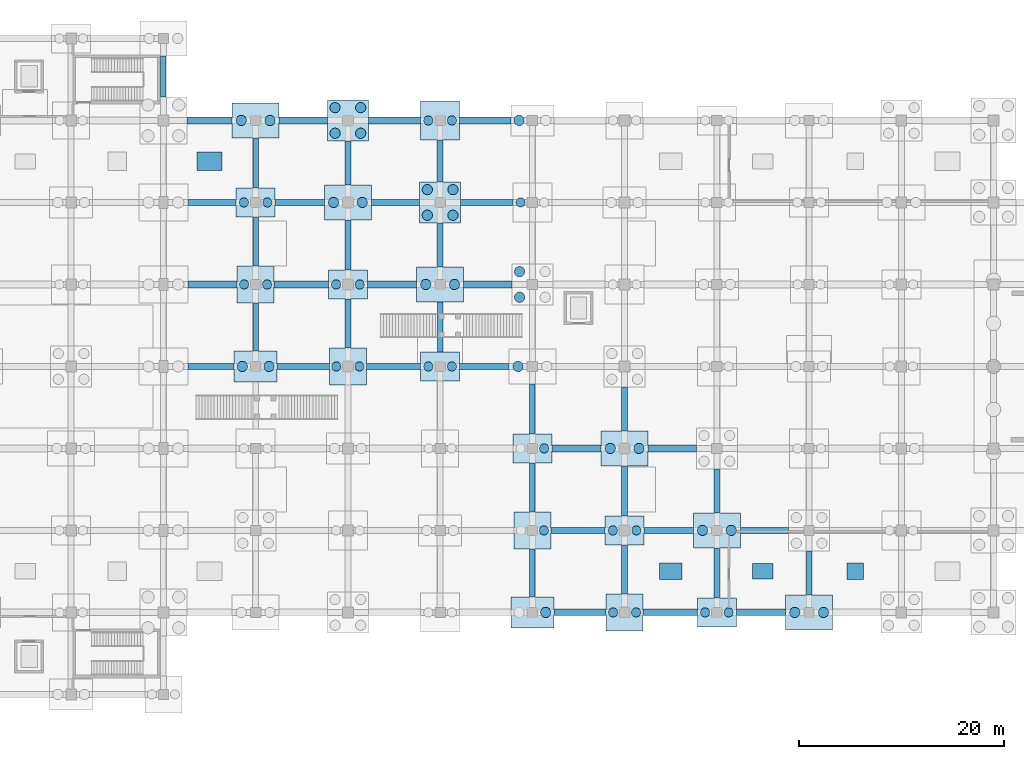
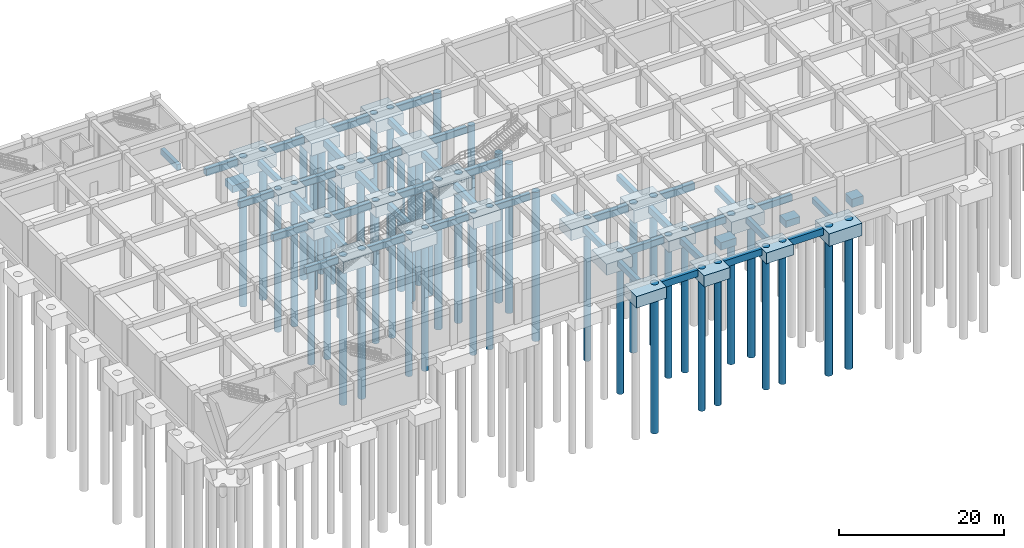
# One storey, part 3 of 18: 68 footings, 48 piles.
"""IFC4 building model written with IfcOpenShell, lengths in metres."""

from ifc_helpers import new_model, si_unit, derived_unit, direction, frame, origin, origin_2d, place, context, subcontext, project, spatial, rectangle, circle, extrude, material, material_profile, profile_set, type_object, element, save


model = new_model("IFC4")

# Units and contexts
model_context = context("Model", 3, precision=1e-05, world=origin(), true_north=direction((0.0, 1.0)))
body_context = subcontext(model_context, "Body", "Model", "MODEL_VIEW")
ifc_project = project(units=[si_unit("LENGTHUNIT", "METRE"), si_unit("AREAUNIT", "SQUARE_METRE"), si_unit("VOLUMEUNIT", "CUBIC_METRE"), si_unit("PLANEANGLEUNIT", "RADIAN"), si_unit("MASSUNIT", "GRAM", prefix="KILO"), derived_unit("THERMALTRANSMITTANCEUNIT", [(si_unit("MASSUNIT", "GRAM", prefix="KILO"), 1), (si_unit("TIMEUNIT", "SECOND"), -3), (si_unit("THERMODYNAMICTEMPERATUREUNIT", "KELVIN"), -1)])], contexts=[model_context])

# Site, building, storey
site_placement = place(None, origin())
site = spatial("IfcSite", under=ifc_project, at=site_placement, CompositionType="ELEMENT")
building_placement = place(site_placement, origin())
building = spatial("IfcBuilding", under=site, at=building_placement, Name="Zhenchuan Archway Interchange", CompositionType="ELEMENT")
storey_placement = place(building_placement, frame((0.0, 0.0, -12.0)))
storey = spatial("IfcBuildingStorey", under=building, at=storey_placement, Name="B2", CompositionType="ELEMENT", Elevation=-12.0)

# Footings
ifc_material_1 = material(Name="Concrete C40", Category="concrete")
ifc_material_profile_1 = material_profile(ifc_material_1, rectangle(XDim=0.64990234375, YDim=1.0, at=origin_2d()), Name="RC 650x1000")
ifc_profile_set_1 = profile_set([ifc_material_profile_1], Name="Concrete C40")
footing_type_1 = type_object("IfcFootingType", Name="FB_GROUND_1", PredefinedType="FOOTING_BEAM", material=ifc_profile_set_1)
footing_1_placement = place(storey_placement, frame((101.10009765625, 32.0, -1.5), z_axis=(1.0, 0.0, 0.0), x_axis=(0.0, 1.0, 0.0)))
element("IfcFooting", 1, at=footing_1_placement, inside=storey, type_object=footing_type_1, Name="Ground tie beam E:12-13 (B2)", PredefinedType="FOOTING_BEAM", context=body_context, shape_type="SweptSolid", body=[
    extrude(rectangle(XDim=0.64990234375, YDim=1.0, at=origin_2d()), origin(), (0.0, 0.0, 1.0), 5.099853515625),
])
footing_2_placement = place(storey_placement, frame((109.800048828125, 32.0, -1.5), z_axis=(1.0, 0.0, 0.0), x_axis=(0.0, 1.0, 0.0)))
element("IfcFooting", 2, at=footing_2_placement, inside=storey, type_object=footing_type_1, Name="Ground tie beam E:13-14 (B2)", PredefinedType="FOOTING_BEAM", context=body_context, shape_type="SweptSolid", body=[
    extrude(rectangle(XDim=0.64990234375, YDim=1.0, at=origin_2d()), origin(), (0.0, 0.0, 1.0), 5.300048828125),
])
for number, where, z_axis, x_axis, name in (
    (3, (118.89990234375, 32.0, -1.5), (1.0, 0.0, 0.0), (0.0, 1.0, 0.0), "Ground tie beam E:14-15 (B2)"),
    (4, (100.89990234375, 48.0, -1.5), (1.0, 0.0, 0.0), (0.0, 1.0, 0.0), "Ground tie beam G:12-13 (B2)"),
):
    element("IfcFooting", number, at=place(storey_placement, frame(where, z_axis=z_axis, x_axis=x_axis)), inside=storey, type_object=footing_type_1, Name=name, PredefinedType="FOOTING_BEAM", context=body_context, shape_type="SweptSolid", body=[
        extrude(rectangle(XDim=0.64990234375, YDim=1.0, at=origin_2d()), origin(), (0.0, 0.0, 1.0), 4.800048828125),
    ])
footing_3_placement = place(storey_placement, frame((110.300048828125, 48.0, -1.5), z_axis=(1.0, 0.0, 0.0), x_axis=(0.0, 1.0, 0.0)))
element("IfcFooting", 5, at=footing_3_placement, inside=storey, type_object=footing_type_1, Name="Ground tie beam G:13-14 (B2)", PredefinedType="FOOTING_BEAM", context=body_context, shape_type="SweptSolid", body=[
    extrude(rectangle(XDim=0.64990234375, YDim=1.0, at=origin_2d()), origin(), (0.0, 0.0, 1.0), 4.699951171875),
])
footing_4_placement = place(storey_placement, frame((65.39990234375, 64.0, -1.5), z_axis=(1.0, 0.0, 0.0), x_axis=(0.0, 1.0, 0.0)))
element("IfcFooting", 6, at=footing_4_placement, inside=storey, type_object=footing_type_1, Name="Ground tie beam J:8-9 (B2)", PredefinedType="FOOTING_BEAM", context=body_context, shape_type="SweptSolid", body=[
    extrude(rectangle(XDim=0.64990234375, YDim=1.0, at=origin_2d()), origin(), (0.0, 0.0, 1.0), 4.800048828125),
])
footing_5_placement = place(storey_placement, frame((73.800048828125, 64.0, -1.5), z_axis=(1.0, 0.0, 0.0), x_axis=(0.0, 1.0, 0.0)))
element("IfcFooting", 7, at=footing_5_placement, inside=storey, type_object=footing_type_1, Name="Ground tie beam J:9-10 (B2)", PredefinedType="FOOTING_BEAM", context=body_context, shape_type="SweptSolid", body=[
    extrude(rectangle(XDim=0.64990234375, YDim=1.0, at=origin_2d()), origin(), (0.0, 0.0, 1.0), 5.300048828125),
])
footing_6_placement = place(storey_placement, frame((82.89990234375, 64.0, -1.5), z_axis=(1.0, 0.0, 0.0), x_axis=(0.0, 1.0, 0.0)))
element("IfcFooting", 8, at=footing_6_placement, inside=storey, type_object=footing_type_1, Name="Ground tie beam J:10-11 (B2)", PredefinedType="FOOTING_BEAM", context=body_context, shape_type="SweptSolid", body=[
    extrude(rectangle(XDim=0.64990234375, YDim=1.0, at=origin_2d()), origin(), (0.0, 0.0, 1.0), 4.800048828125),
])
footing_7_placement = place(storey_placement, frame((92.300048828125, 64.0, -1.5), z_axis=(1.0, 0.0, 0.0), x_axis=(0.0, 1.0, 0.0)))
element("IfcFooting", 9, at=footing_7_placement, inside=storey, type_object=footing_type_1, Name="Ground tie beam J:11-12 (B2)", PredefinedType="FOOTING_BEAM", context=body_context, shape_type="SweptSolid", body=[
    extrude(rectangle(XDim=0.64990234375, YDim=1.0, at=origin_2d()), origin(), (0.0, 0.0, 1.0), 4.699951171875),
])
footing_8_placement = place(storey_placement, frame((65.300048828125, 80.0, -1.5), z_axis=(1.0, 0.0, 0.0), x_axis=(0.0, 1.0, 0.0)))
element("IfcFooting", 10, at=footing_8_placement, inside=storey, type_object=footing_type_1, Name="Ground tie beam L:8-9 (B2)", PredefinedType="FOOTING_BEAM", context=body_context, shape_type="SweptSolid", body=[
    extrude(rectangle(XDim=0.64990234375, YDim=1.0, at=origin_2d()), origin(), (0.0, 0.0, 1.0), 4.39990234375),
])
footing_9_placement = place(storey_placement, frame((74.300048828125, 80.0, -1.5), z_axis=(1.0, 0.0, 0.0), x_axis=(0.0, 1.0, 0.0)))
element("IfcFooting", 11, at=footing_9_placement, inside=storey, type_object=footing_type_1, Name="Ground tie beam L:9-10 (B2)", PredefinedType="FOOTING_BEAM", context=body_context, shape_type="SweptSolid", body=[
    extrude(rectangle(XDim=0.64990234375, YDim=1.0, at=origin_2d()), origin(), (0.0, 0.0, 1.0), 4.699951171875),
])
footing_10_placement = place(storey_placement, frame((83.0, 80.0, -1.5), z_axis=(1.0, 0.0, 0.0), x_axis=(0.0, 1.0, 0.0)))
element("IfcFooting", 12, at=footing_10_placement, inside=storey, type_object=footing_type_1, Name="Ground tie beam L:10-11 (B2)", PredefinedType="FOOTING_BEAM", context=body_context, shape_type="SweptSolid", body=[
    extrude(rectangle(XDim=0.64990234375, YDim=1.0, at=origin_2d()), origin(), (0.0, 0.0, 1.0), 5.10009765625),
])
footing_11_placement = place(storey_placement, frame((91.89990234375, 80.0, -1.5), z_axis=(1.0, 0.0, 0.0), x_axis=(0.0, 1.0, 0.0)))
element("IfcFooting", 13, at=footing_11_placement, inside=storey, type_object=footing_type_1, Name="Ground tie beam L:11-12 (B2)", PredefinedType="FOOTING_BEAM", context=body_context, shape_type="SweptSolid", body=[
    extrude(rectangle(XDim=0.64990234375, YDim=1.0, at=origin_2d()), origin(), (0.0, 0.0, 1.0), 5.0),
])
ifc_material_profile_2 = material_profile(ifc_material_1, rectangle(XDim=0.60009765625, YDim=0.949951171875, at=origin_2d()), Name="RC 600x950")
ifc_profile_set_2 = profile_set([ifc_material_profile_2], Name="Concrete C40")
footing_type_2 = type_object("IfcFootingType", Name="FB_GROUND_2", PredefinedType="FOOTING_BEAM", material=ifc_profile_set_2)
footing_12_placement = place(storey_placement, frame((100.800048828125, 40.0, -1.47509765625), z_axis=(1.0, 0.0, 0.0), x_axis=(0.0, 1.0, 0.0)))
element("IfcFooting", 14, at=footing_12_placement, inside=storey, type_object=footing_type_2, Name="Ground tie beam F:12-13 (B2)", PredefinedType="FOOTING_BEAM", context=body_context, shape_type="SweptSolid", body=[
    extrude(rectangle(XDim=0.60009765625, YDim=0.949951171875, at=origin_2d()), origin(), (0.0, 0.0, 1.0), 5.300048828125),
])
footing_13_placement = place(storey_placement, frame((109.89990234375, 40.0, -1.47509765625), z_axis=(1.0, 0.0, 0.0), x_axis=(0.0, 1.0, 0.0)))
element("IfcFooting", 15, at=footing_13_placement, inside=storey, type_object=footing_type_2, Name="Ground tie beam F:13-14 (B2)", PredefinedType="FOOTING_BEAM", context=body_context, shape_type="SweptSolid", body=[
    extrude(rectangle(XDim=0.60009765625, YDim=0.949951171875, at=origin_2d()), origin(), (0.0, 0.0, 1.0), 4.800048828125),
])
footing_14_placement = place(storey_placement, frame((119.300048828125, 40.0, -1.47509765625), z_axis=(1.0, 0.0, 0.0), x_axis=(0.0, 1.0, 0.0)))
element("IfcFooting", 16, at=footing_14_placement, inside=storey, type_object=footing_type_2, Name="Ground tie beam F:14-15 (B2)", PredefinedType="FOOTING_BEAM", context=body_context, shape_type="SweptSolid", body=[
    extrude(rectangle(XDim=0.60009765625, YDim=0.949951171875, at=origin_2d()), origin(), (0.0, 0.0, 1.0), 4.699951171875),
])
footing_15_placement = place(storey_placement, frame((65.39990234375, 56.0, -1.47509765625), z_axis=(1.0, 0.0, 0.0), x_axis=(0.0, 1.0, 0.0)))
element("IfcFooting", 17, at=footing_15_placement, inside=storey, type_object=footing_type_2, Name="Ground tie beam H:8-9 (B2)", PredefinedType="FOOTING_BEAM", context=body_context, shape_type="SweptSolid", body=[
    extrude(rectangle(XDim=0.60009765625, YDim=0.949951171875, at=origin_2d()), origin(), (0.0, 0.0, 1.0), 4.5),
])
footing_16_placement = place(storey_placement, frame((74.10009765625, 56.0, -1.47509765625), z_axis=(1.0, 0.0, 0.0), x_axis=(0.0, 1.0, 0.0)))
element("IfcFooting", 18, at=footing_16_placement, inside=storey, type_object=footing_type_2, Name="Ground tie beam H:9-10 (B2)", PredefinedType="FOOTING_BEAM", context=body_context, shape_type="SweptSolid", body=[
    extrude(rectangle(XDim=0.60009765625, YDim=0.949951171875, at=origin_2d()), origin(), (0.0, 0.0, 1.0), 5.099853515625),
])
footing_17_placement = place(storey_placement, frame((82.800048828125, 56.0, -1.47509765625), z_axis=(1.0, 0.0, 0.0), x_axis=(0.0, 1.0, 0.0)))
element("IfcFooting", 19, at=footing_17_placement, inside=storey, type_object=footing_type_2, Name="Ground tie beam H:10-11 (B2)", PredefinedType="FOOTING_BEAM", context=body_context, shape_type="SweptSolid", body=[
    extrude(rectangle(XDim=0.60009765625, YDim=0.949951171875, at=origin_2d()), origin(), (0.0, 0.0, 1.0), 5.300048828125),
])
footing_18_placement = place(storey_placement, frame((91.89990234375, 56.0, -1.47509765625), z_axis=(1.0, 0.0, 0.0), x_axis=(0.0, 1.0, 0.0)))
element("IfcFooting", 20, at=footing_18_placement, inside=storey, type_object=footing_type_2, Name="Ground tie beam H:11-12 (B2)", PredefinedType="FOOTING_BEAM", context=body_context, shape_type="SweptSolid", body=[
    extrude(rectangle(XDim=0.60009765625, YDim=0.949951171875, at=origin_2d()), origin(), (0.0, 0.0, 1.0), 4.800048828125),
])
footing_19_placement = place(storey_placement, frame((65.39990234375, 72.0, -1.47509765625), z_axis=(1.0, 0.0, 0.0), x_axis=(0.0, 1.0, 0.0)))
element("IfcFooting", 21, at=footing_19_placement, inside=storey, type_object=footing_type_2, Name="Ground tie beam K:8-9 (B2)", PredefinedType="FOOTING_BEAM", context=body_context, shape_type="SweptSolid", body=[
    extrude(rectangle(XDim=0.60009765625, YDim=0.949951171875, at=origin_2d()), origin(), (0.0, 0.0, 1.0), 4.7001953125),
])
footing_20_placement = place(storey_placement, frame((73.89990234375, 72.0, -1.47509765625), z_axis=(1.0, 0.0, 0.0), x_axis=(0.0, 1.0, 0.0)))
element("IfcFooting", 22, at=footing_20_placement, inside=storey, type_object=footing_type_2, Name="Ground tie beam K:9-10 (B2)", PredefinedType="FOOTING_BEAM", context=body_context, shape_type="SweptSolid", body=[
    extrude(rectangle(XDim=0.60009765625, YDim=0.949951171875, at=origin_2d()), origin(), (0.0, 0.0, 1.0), 4.800048828125),
])
footing_21_placement = place(storey_placement, frame((83.300048828125, 72.0, -1.47509765625), z_axis=(1.0, 0.0, 0.0), x_axis=(0.0, 1.0, 0.0)))
element("IfcFooting", 23, at=footing_21_placement, inside=storey, type_object=footing_type_2, Name="Ground tie beam K:10-11 (B2)", PredefinedType="FOOTING_BEAM", context=body_context, shape_type="SweptSolid", body=[
    extrude(rectangle(XDim=0.60009765625, YDim=0.949951171875, at=origin_2d()), origin(), (0.0, 0.0, 1.0), 4.699951171875),
])
footing_22_placement = place(storey_placement, frame((92.0, 72.0, -1.47509765625), z_axis=(1.0, 0.0, 0.0), x_axis=(0.0, 1.0, 0.0)))
element("IfcFooting", 24, at=footing_22_placement, inside=storey, type_object=footing_type_2, Name="Ground tie beam K:11-12 (B2)", PredefinedType="FOOTING_BEAM", context=body_context, shape_type="SweptSolid", body=[
    extrude(rectangle(XDim=0.60009765625, YDim=0.949951171875, at=origin_2d()), origin(), (0.0, 0.0, 1.0), 5.10009765625),
])
footing_23_placement = place(storey_placement, frame((81.0, 57.800048828125, -1.47509765625), z_axis=(0.0, 1.0, 0.0), x_axis=(-1.0, 0.0, 0.0)))
element("IfcFooting", 25, at=footing_23_placement, inside=storey, type_object=footing_type_2, Name="Ground tie beam 10:H-J (B2)", PredefinedType="FOOTING_BEAM", context=body_context, shape_type="SweptSolid", body=[
    extrude(rectangle(XDim=0.60009765625, YDim=0.949951171875, at=origin_2d()), origin(), (0.0, 0.0, 1.0), 4.800048828125),
])
footing_24_placement = place(storey_placement, frame((81.0, 65.39990234375, -1.47509765625), z_axis=(0.0, 1.0, 0.0), x_axis=(-1.0, 0.0, 0.0)))
element("IfcFooting", 26, at=footing_24_placement, inside=storey, type_object=footing_type_2, Name="Ground tie beam 10:J-K (B2)", PredefinedType="FOOTING_BEAM", context=body_context, shape_type="SweptSolid", body=[
    extrude(rectangle(XDim=0.60009765625, YDim=0.949951171875, at=origin_2d()), origin(), (0.0, 0.0, 1.0), 4.900146484375),
])
footing_25_placement = place(storey_placement, frame((81.0, 73.699951171875, -1.47509765625), z_axis=(0.0, 1.0, 0.0), x_axis=(-1.0, 0.0, 0.0)))
element("IfcFooting", 27, at=footing_25_placement, inside=storey, type_object=footing_type_2, Name="Ground tie beam 10:K-L (B2)", PredefinedType="FOOTING_BEAM", context=body_context, shape_type="SweptSolid", body=[
    extrude(rectangle(XDim=0.60009765625, YDim=0.949951171875, at=origin_2d()), origin(), (0.0, 0.0, 1.0), 4.300048828125),
])
footing_26_placement = place(storey_placement, frame((108.0, 33.800048828125, -1.47509765625), z_axis=(0.0, 1.0, 0.0), x_axis=(-1.0, 0.0, 0.0)))
element("IfcFooting", 28, at=footing_26_placement, inside=storey, type_object=footing_type_2, Name="Ground tie beam 13:E-F (B2)", PredefinedType="FOOTING_BEAM", context=body_context, shape_type="SweptSolid", body=[
    extrude(rectangle(XDim=0.60009765625, YDim=0.949951171875, at=origin_2d()), origin(), (0.0, 0.0, 1.0), 4.800048828125),
])
footing_27_placement = place(storey_placement, frame((108.0, 41.39990234375, -1.47509765625), z_axis=(0.0, 1.0, 0.0), x_axis=(-1.0, 0.0, 0.0)))
element("IfcFooting", 29, at=footing_27_placement, inside=storey, type_object=footing_type_2, Name="Ground tie beam 13:F-G (B2)", PredefinedType="FOOTING_BEAM", context=body_context, shape_type="SweptSolid", body=[
    extrude(rectangle(XDim=0.60009765625, YDim=0.949951171875, at=origin_2d()), origin(), (0.0, 0.0, 1.0), 4.900146484375),
])
footing_28_placement = place(storey_placement, frame((108.0, 49.699951171875, -1.47509765625), z_axis=(0.0, 1.0, 0.0), x_axis=(-1.0, 0.0, 0.0)))
element("IfcFooting", 30, at=footing_28_placement, inside=storey, type_object=footing_type_2, Name="Ground tie beam 13:G-H (B2)", PredefinedType="FOOTING_BEAM", context=body_context, shape_type="SweptSolid", body=[
    extrude(rectangle(XDim=0.60009765625, YDim=0.949951171875, at=origin_2d()), origin(), (0.0, 0.0, 1.0), 4.300048828125),
])
ifc_material_profile_3 = material_profile(ifc_material_1, rectangle(XDim=0.550048828125, YDim=0.85009765625, at=origin_2d()), Name="RC 550x850")
ifc_profile_set_3 = profile_set([ifc_material_profile_3], Name="Concrete C40")
footing_type_3 = type_object("IfcFootingType", Name="FB_GROUND_3", PredefinedType="FOOTING_BEAM", material=ifc_profile_set_3)
footing_29_placement = place(storey_placement, frame((63.0, 82.300048828125, -1.425048828125), z_axis=(0.0, 1.0, 0.0), x_axis=(-1.0, 0.0, 0.0)))
element("IfcFooting", 31, at=footing_29_placement, inside=storey, type_object=footing_type_3, Name="Ground tie beam 8:L-M (B2)", PredefinedType="FOOTING_BEAM", context=body_context, shape_type="SweptSolid", body=[
    extrude(rectangle(XDim=0.550048828125, YDim=0.85009765625, at=origin_2d()), origin(), (0.0, 0.0, 1.0), 4.0),
])
footing_30_placement = place(storey_placement, frame((72.0, 57.5, -1.425048828125), z_axis=(0.0, 1.0, 0.0), x_axis=(-1.0, 0.0, 0.0)))
element("IfcFooting", 32, at=footing_30_placement, inside=storey, type_object=footing_type_3, Name="Ground tie beam 9:H-J (B2)", PredefinedType="FOOTING_BEAM", context=body_context, shape_type="SweptSolid", body=[
    extrude(rectangle(XDim=0.550048828125, YDim=0.85009765625, at=origin_2d()), origin(), (0.0, 0.0, 1.0), 4.699951171875),
])
footing_31_placement = place(storey_placement, frame((72.0, 65.800048828125, -1.425048828125), z_axis=(0.0, 1.0, 0.0), x_axis=(-1.0, 0.0, 0.0)))
element("IfcFooting", 33, at=footing_31_placement, inside=storey, type_object=footing_type_3, Name="Ground tie beam 9:J-K (B2)", PredefinedType="FOOTING_BEAM", context=body_context, shape_type="SweptSolid", body=[
    extrude(rectangle(XDim=0.550048828125, YDim=0.85009765625, at=origin_2d()), origin(), (0.0, 0.0, 1.0), 4.800048828125),
])
for number, where, z_axis, x_axis, name in (
    (34, (72.0, 73.39990234375, -1.425048828125), (0.0, 1.0, 0.0), (-1.0, 0.0, 0.0), "Ground tie beam 9:K-L (B2)"),
    (35, (90.0, 57.39990234375, -1.425048828125), (0.0, 1.0, 0.0), (-1.0, 0.0, 0.0), "Ground tie beam 11:H-J (B2)"),
):
    element("IfcFooting", number, at=place(storey_placement, frame(where, z_axis=z_axis, x_axis=x_axis)), inside=storey, type_object=footing_type_3, Name=name, PredefinedType="FOOTING_BEAM", context=body_context, shape_type="SweptSolid", body=[
        extrude(rectangle(XDim=0.550048828125, YDim=0.85009765625, at=origin_2d()), origin(), (0.0, 0.0, 1.0), 4.900146484375),
    ])
footing_32_placement = place(storey_placement, frame((90.0, 65.699951171875, -1.425048828125), z_axis=(0.0, 1.0, 0.0), x_axis=(-1.0, 0.0, 0.0)))
element("IfcFooting", 36, at=footing_32_placement, inside=storey, type_object=footing_type_3, Name="Ground tie beam 11:J-K (B2)", PredefinedType="FOOTING_BEAM", context=body_context, shape_type="SweptSolid", body=[
    extrude(rectangle(XDim=0.550048828125, YDim=0.85009765625, at=origin_2d()), origin(), (0.0, 0.0, 1.0), 4.300048828125),
])
footing_33_placement = place(storey_placement, frame((90.0, 74.0, -1.425048828125), z_axis=(0.0, 1.0, 0.0), x_axis=(-1.0, 0.0, 0.0)))
element("IfcFooting", 37, at=footing_33_placement, inside=storey, type_object=footing_type_3, Name="Ground tie beam 11:K-L (B2)", PredefinedType="FOOTING_BEAM", context=body_context, shape_type="SweptSolid", body=[
    extrude(rectangle(XDim=0.550048828125, YDim=0.85009765625, at=origin_2d()), origin(), (0.0, 0.0, 1.0), 4.10009765625),
])
footing_34_placement = place(storey_placement, frame((99.0, 33.5, -1.425048828125), z_axis=(0.0, 1.0, 0.0), x_axis=(-1.0, 0.0, 0.0)))
element("IfcFooting", 38, at=footing_34_placement, inside=storey, type_object=footing_type_3, Name="Ground tie beam 12:E-F (B2)", PredefinedType="FOOTING_BEAM", context=body_context, shape_type="SweptSolid", body=[
    extrude(rectangle(XDim=0.550048828125, YDim=0.85009765625, at=origin_2d()), origin(), (0.0, 0.0, 1.0), 4.699951171875),
])
footing_35_placement = place(storey_placement, frame((99.0, 41.800048828125, -1.425048828125), z_axis=(0.0, 1.0, 0.0), x_axis=(-1.0, 0.0, 0.0)))
element("IfcFooting", 39, at=footing_35_placement, inside=storey, type_object=footing_type_3, Name="Ground tie beam 12:F-G (B2)", PredefinedType="FOOTING_BEAM", context=body_context, shape_type="SweptSolid", body=[
    extrude(rectangle(XDim=0.550048828125, YDim=0.85009765625, at=origin_2d()), origin(), (0.0, 0.0, 1.0), 4.800048828125),
])
for number, where, z_axis, x_axis, name in (
    (40, (99.0, 49.39990234375, -1.425048828125), (0.0, 1.0, 0.0), (-1.0, 0.0, 0.0), "Ground tie beam 12:G-H (B2)"),
    (41, (117.0, 33.39990234375, -1.425048828125), (0.0, 1.0, 0.0), (-1.0, 0.0, 0.0), "Ground tie beam 14:E-F (B2)"),
):
    element("IfcFooting", number, at=place(storey_placement, frame(where, z_axis=z_axis, x_axis=x_axis)), inside=storey, type_object=footing_type_3, Name=name, PredefinedType="FOOTING_BEAM", context=body_context, shape_type="SweptSolid", body=[
        extrude(rectangle(XDim=0.550048828125, YDim=0.85009765625, at=origin_2d()), origin(), (0.0, 0.0, 1.0), 4.900146484375),
    ])
for number, where, z_axis, x_axis, name in (
    (42, (117.0, 41.699951171875, -1.425048828125), (0.0, 1.0, 0.0), (-1.0, 0.0, 0.0), "Ground tie beam 14:F-G (B2)"),
    (43, (126.0, 33.699951171875, -1.425048828125), (0.0, 1.0, 0.0), (-1.0, 0.0, 0.0), "Ground tie beam 15:E-F (B2)"),
):
    element("IfcFooting", number, at=place(storey_placement, frame(where, z_axis=z_axis, x_axis=x_axis)), inside=storey, type_object=footing_type_3, Name=name, PredefinedType="FOOTING_BEAM", context=body_context, shape_type="SweptSolid", body=[
        extrude(rectangle(XDim=0.550048828125, YDim=0.85009765625, at=origin_2d()), origin(), (0.0, 0.0, 1.0), 4.300048828125),
    ])
footing_type_4 = type_object("IfcFootingType", Name="PAD_EQUIP_1", PredefinedType="PAD_FOOTING", material=ifc_material_1)
footing_36_placement = place(storey_placement, frame((112.5, 36.0, -2.10009765625), z_axis=(0.0, 0.0, 1.0), x_axis=(1.0, 0.0, 0.0)))
element("IfcFooting", 44, at=footing_36_placement, inside=storey, type_object=footing_type_4, Name="Station plant equipment pad footing PF-09", PredefinedType="PAD_FOOTING", context=body_context, shape_type="SweptSolid", body=[
    extrude(rectangle(XDim=2.199951171875, YDim=1.60009765625, at=origin_2d()), origin(), (0.0, 0.0, 1.0), 1.10009765625),
])
footing_type_5 = type_object("IfcFootingType", Name="PAD_EQUIP_2", PredefinedType="PAD_FOOTING", material=ifc_material_1)
footing_37_placement = place(storey_placement, frame((121.5, 36.0, -2.0), z_axis=(0.0, 0.0, 1.0), x_axis=(1.0, 0.0, 0.0)))
element("IfcFooting", 45, at=footing_37_placement, inside=storey, type_object=footing_type_5, Name="Station plant equipment pad footing PF-10", PredefinedType="PAD_FOOTING", context=body_context, shape_type="SweptSolid", body=[
    extrude(rectangle(XDim=2.0, YDim=1.5, at=origin_2d()), origin(), (0.0, 0.0, 1.0), 1.0),
])
footing_type_6 = type_object("IfcFootingType", Name="PAD_EQUIP_4", PredefinedType="PAD_FOOTING", material=ifc_material_1)
footing_38_placement = place(storey_placement, frame((130.5, 36.0, -2.2001953125), z_axis=(0.0, 0.0, 1.0), x_axis=(1.0, 0.0, 0.0)))
element("IfcFooting", 46, at=footing_38_placement, inside=storey, type_object=footing_type_6, Name="Station plant equipment pad footing PF-11", PredefinedType="PAD_FOOTING", context=body_context, shape_type="SweptSolid", body=[
    extrude(rectangle(XDim=1.60009765625, YDim=1.60009765625, at=origin_2d()), origin(), (0.0, 0.0, 1.0), 1.199951171875),
])
footing_type_7 = type_object("IfcFootingType", Name="PAD_EQUIP_6", PredefinedType="PAD_FOOTING", material=ifc_material_1)
footing_39_placement = place(storey_placement, frame((67.5, 76.0, -2.0498046875), z_axis=(0.0, 0.0, 1.0), x_axis=(1.0, 0.0, 0.0)))
element("IfcFooting", 47, at=footing_39_placement, inside=storey, type_object=footing_type_7, Name="Station plant equipment pad footing PF-08", PredefinedType="PAD_FOOTING", context=body_context, shape_type="SweptSolid", body=[
    extrude(rectangle(XDim=2.39990234375, YDim=1.800048828125, at=origin_2d()), origin(), (0.0, 0.0, 1.0), 1.050048828125),
])
footing_type_8 = type_object("IfcFootingType", Name="PC_B_38x38", PredefinedType="PILE_CAP", material=ifc_material_1)
footing_40_placement = place(storey_placement, frame((90.0, 80.0, -2.75), z_axis=(0.0, 0.0, 1.0), x_axis=(1.0, 0.0, 0.0)))
element("IfcFooting", 48, at=footing_40_placement, inside=storey, type_object=footing_type_8, Name="Pile cap PC-07 at 11/L (B2)", PredefinedType="PILE_CAP", context=body_context, shape_type="SweptSolid", body=[
    extrude(rectangle(XDim=3.800048828125, YDim=3.800048828125, at=origin_2d()), origin(), (0.0, 0.0, 1.0), 1.75),
])
footing_type_9 = type_object("IfcFootingType", Name="PC_B_42x30", PredefinedType="PILE_CAP", material=ifc_material_1)
for number, where, z_axis, x_axis, name in (
    (49, (99.0, 32.0, -2.7001953125), (0.0, 0.0, 1.0), (1.0, 0.0, 0.0), "Pile cap PC-08 at 12/E (B2)"),
    (50, (72.0, 56.0, -2.7001953125), (0.0, 0.0, 1.0), (1.0, 0.0, 0.0), "Pile cap PC-08 at 9/H (B2)"),
):
    element("IfcFooting", number, at=place(storey_placement, frame(where, z_axis=z_axis, x_axis=x_axis)), inside=storey, type_object=footing_type_9, Name=name, PredefinedType="PILE_CAP", context=body_context, shape_type="SweptSolid", body=[
        extrude(rectangle(XDim=4.199951171875, YDim=3.0, at=origin_2d()), origin(), (0.0, 0.0, 1.0), 1.699951171875),
    ])
footing_type_10 = type_object("IfcFootingType", Name="PC_C_46x34", PredefinedType="PILE_CAP", material=ifc_material_1)
for number, where, z_axis, x_axis, name in (
    (51, (81.0, 72.0, -2.85009765625), (0.0, 0.0, 1.0), (1.0, 0.0, 0.0), "Pile cap PC-05 at 10/K (B2)"),
    (52, (90.0, 64.0, -2.85009765625), (0.0, 0.0, 1.0), (1.0, 0.0, 0.0), "Pile cap PC-05 at 11/J (B2)"),
    (53, (108.0, 48.0, -2.85009765625), (0.0, 0.0, 1.0), (1.0, 0.0, 0.0), "Pile cap PC-05 at 13/G (B2)"),
    (54, (117.0, 40.0, -2.85009765625), (0.0, 0.0, 1.0), (1.0, 0.0, 0.0), "Pile cap PC-05 at 14/F (B2)"),
    (55, (126.0, 32.0, -2.85009765625), (0.0, 0.0, 1.0), (1.0, 0.0, 0.0), "Pile cap PC-05 at 15/E (B2)"),
    (56, (72.0, 80.0, -2.85009765625), (0.0, 0.0, 1.0), (1.0, 0.0, 0.0), "Pile cap PC-05 at 9/L (B2)"),
):
    element("IfcFooting", number, at=place(storey_placement, frame(where, z_axis=z_axis, x_axis=x_axis)), inside=storey, type_object=footing_type_10, Name=name, PredefinedType="PILE_CAP", context=body_context, shape_type="SweptSolid", body=[
        extrude(rectangle(XDim=4.60009765625, YDim=3.39990234375, at=origin_2d()), origin(), (0.0, 0.0, 1.0), 1.85009765625),
    ])
footing_type_11 = type_object("IfcFootingType", Name="PC_M_36x36", PredefinedType="PILE_CAP", material=ifc_material_1)
for number, where, z_axis, x_axis, name in (
    (57, (81.0, 56.0, -2.64990234375), (0.0, 0.0, 1.0), (1.0, 0.0, 0.0), "Pile cap PC-09 at 10/H (B2)"),
    (58, (99.0, 40.0, -2.64990234375), (0.0, 0.0, 1.0), (1.0, 0.0, 0.0), "Pile cap PC-09 at 12/F (B2)"),
    (59, (108.0, 32.0, -2.64990234375), (0.0, 0.0, 1.0), (1.0, 0.0, 0.0), "Pile cap PC-09 at 13/E (B2)"),
    (60, (72.0, 64.0, -2.64990234375), (0.0, 0.0, 1.0), (1.0, 0.0, 0.0), "Pile cap PC-09 at 9/J (B2)"),
):
    element("IfcFooting", number, at=place(storey_placement, frame(where, z_axis=z_axis, x_axis=x_axis)), inside=storey, type_object=footing_type_11, Name=name, PredefinedType="PILE_CAP", context=body_context, shape_type="SweptSolid", body=[
        extrude(rectangle(XDim=3.60009765625, YDim=3.60009765625, at=origin_2d()), origin(), (0.0, 0.0, 1.0), 1.64990234375),
    ])
footing_type_12 = type_object("IfcFootingType", Name="PC_P_38x28", PredefinedType="PILE_CAP", material=ifc_material_1)
for number, where, z_axis, x_axis, name in (
    (61, (81.0, 64.0, -2.60009765625), (0.0, 0.0, 1.0), (1.0, 0.0, 0.0), "Pile cap PC-10 at 10/J (B2)"),
    (62, (90.0, 56.0, -2.60009765625), (0.0, 0.0, 1.0), (1.0, 0.0, 0.0), "Pile cap PC-10 at 11/H (B2)"),
    (63, (99.0, 48.0, -2.60009765625), (0.0, 0.0, 1.0), (1.0, 0.0, 0.0), "Pile cap PC-10 at 12/G (B2)"),
    (64, (108.0, 40.0, -2.60009765625), (0.0, 0.0, 1.0), (1.0, 0.0, 0.0), "Pile cap PC-10 at 13/F (B2)"),
    (65, (117.0, 32.0, -2.60009765625), (0.0, 0.0, 1.0), (1.0, 0.0, 0.0), "Pile cap PC-10 at 14/E (B2)"),
    (66, (72.0, 72.0, -2.60009765625), (0.0, 0.0, 1.0), (1.0, 0.0, 0.0), "Pile cap PC-10 at 9/K (B2)"),
):
    element("IfcFooting", number, at=place(storey_placement, frame(where, z_axis=z_axis, x_axis=x_axis)), inside=storey, type_object=footing_type_12, Name=name, PredefinedType="PILE_CAP", context=body_context, shape_type="SweptSolid", body=[
        extrude(rectangle(XDim=3.800048828125, YDim=2.800048828125, at=origin_2d()), origin(), (0.0, 0.0, 1.0), 1.60009765625),
    ])
footing_type_13 = type_object("IfcFootingType", Name="PC_R_40x40", PredefinedType="PILE_CAP", material=ifc_material_1)
for number, where, z_axis, x_axis, name in (
    (67, (81.0, 80.0, -2.7998046875), (0.0, 0.0, 1.0), (1.0, 0.0, 0.0), "Pile cap PC-06 at 10/L (B2)"),
    (68, (90.0, 72.0, -2.7998046875), (0.0, 0.0, 1.0), (1.0, 0.0, 0.0), "Pile cap PC-06 at 11/K (B2)"),
):
    element("IfcFooting", number, at=place(storey_placement, frame(where, z_axis=z_axis, x_axis=x_axis)), inside=storey, type_object=footing_type_13, Name=name, PredefinedType="PILE_CAP", context=body_context, shape_type="SweptSolid", body=[
        extrude(rectangle(XDim=4.0, YDim=4.0, at=origin_2d()), origin(), (0.0, 0.0, 1.0), 1.800048828125),
    ])

# Piles
ifc_material_2 = material(Name="Concrete C35", Category="concrete")
ifc_material_profile_4 = material_profile(ifc_material_2, circle(Radius=0.5, at=origin_2d()), Name="BORED PILE 1000")
ifc_profile_set_4 = profile_set([ifc_material_profile_4], Name="Concrete C35")
pile_type_1 = type_object("IfcPileType", Name="PILE_D1000", PredefinedType="BORED", material=ifc_profile_set_4)
for number, where, z_axis, x_axis, name in (
    (69, (79.60009765625, 72.0, -1.0), (0.0, 0.0, -1.0), (1.0, 0.0, 0.0), "Bored pile at 10/K #1 (B2)"),
    (70, (82.39990234375, 72.0, -1.0), (0.0, 0.0, -1.0), (1.0, 0.0, 0.0), "Bored pile at 10/K #2 (B2)"),
    (71, (79.75, 78.75, -1.0), (0.0, 0.0, -1.0), (1.0, 0.0, 0.0), "Bored pile at 10/L #1 (B2)"),
    (72, (82.25, 78.75, -1.0), (0.0, 0.0, -1.0), (1.0, 0.0, 0.0), "Bored pile at 10/L #2 (B2)"),
    (73, (79.75, 81.25, -1.0), (0.0, 0.0, -1.0), (1.0, 0.0, 0.0), "Bored pile at 10/L #3 (B2)"),
    (74, (82.25, 81.25, -1.0), (0.0, 0.0, -1.0), (1.0, 0.0, 0.0), "Bored pile at 10/L #4 (B2)"),
    (75, (88.60009765625, 64.0, -1.0), (0.0, 0.0, -1.0), (1.0, 0.0, 0.0), "Bored pile at 11/J #1 (B2)"),
    (76, (91.39990234375, 64.0, -1.0), (0.0, 0.0, -1.0), (1.0, 0.0, 0.0), "Bored pile at 11/J #2 (B2)"),
    (77, (88.75, 70.75, -1.0), (0.0, 0.0, -1.0), (1.0, 0.0, 0.0), "Bored pile at 11/K #1 (B2)"),
    (78, (91.25, 70.75, -1.0), (0.0, 0.0, -1.0), (1.0, 0.0, 0.0), "Bored pile at 11/K #2 (B2)"),
    (79, (88.75, 73.25, -1.0), (0.0, 0.0, -1.0), (1.0, 0.0, 0.0), "Bored pile at 11/K #3 (B2)"),
    (80, (91.25, 73.25, -1.0), (0.0, 0.0, -1.0), (1.0, 0.0, 0.0), "Bored pile at 11/K #4 (B2)"),
    (81, (100.300048828125, 32.0, -1.0), (0.0, 0.0, -1.0), (1.0, 0.0, 0.0), "Bored pile at 12/E #2 (B2)"),
    (82, (97.60009765625, 56.0, -1.0), (0.0, 0.0, -1.0), (1.0, 0.0, 0.0), "Bored pile at 12/H #1 (B2)"),
    (83, (97.75, 62.75, -1.0), (0.0, 0.0, -1.0), (1.0, 0.0, 0.0), "Bored pile at 12/J #1 (B2)"),
    (84, (97.75, 65.25, -1.0), (0.0, 0.0, -1.0), (1.0, 0.0, 0.0), "Bored pile at 12/J #3 (B2)"),
    (85, (97.699951171875, 80.0, -1.0), (0.0, 0.0, -1.0), (1.0, 0.0, 0.0), "Bored pile at 12/L #1 (B2)"),
    (86, (106.60009765625, 48.0, -1.0), (0.0, 0.0, -1.0), (1.0, 0.0, 0.0), "Bored pile at 13/G #1 (B2)"),
    (87, (109.39990234375, 48.0, -1.0), (0.0, 0.0, -1.0), (1.0, 0.0, 0.0), "Bored pile at 13/G #2 (B2)"),
    (88, (115.60009765625, 40.0, -1.0), (0.0, 0.0, -1.0), (1.0, 0.0, 0.0), "Bored pile at 14/F #1 (B2)"),
    (89, (118.39990234375, 40.0, -1.0), (0.0, 0.0, -1.0), (1.0, 0.0, 0.0), "Bored pile at 14/F #2 (B2)"),
    (90, (124.60009765625, 32.0, -1.0), (0.0, 0.0, -1.0), (1.0, 0.0, 0.0), "Bored pile at 15/E #1 (B2)"),
    (91, (127.39990234375, 32.0, -1.0), (0.0, 0.0, -1.0), (1.0, 0.0, 0.0), "Bored pile at 15/E #2 (B2)"),
    (92, (70.699951171875, 56.0, -1.0), (0.0, 0.0, -1.0), (1.0, 0.0, 0.0), "Bored pile at 9/H #1 (B2)"),
    (93, (73.300048828125, 56.0, -1.0), (0.0, 0.0, -1.0), (1.0, 0.0, 0.0), "Bored pile at 9/H #2 (B2)"),
    (94, (70.60009765625, 80.0, -1.0), (0.0, 0.0, -1.0), (1.0, 0.0, 0.0), "Bored pile at 9/L #1 (B2)"),
    (95, (73.39990234375, 80.0, -1.0), (0.0, 0.0, -1.0), (1.0, 0.0, 0.0), "Bored pile at 9/L #2 (B2)"),
):
    element("IfcPile", number, at=place(storey_placement, frame(where, z_axis=z_axis, x_axis=x_axis)), inside=storey, type_object=pile_type_1, Name=name, PredefinedType="BORED", context=body_context, shape_type="SweptSolid", body=[
        extrude(circle(Radius=0.5, at=origin_2d()), origin(), (0.0, 0.0, 1.0), 22.0),
    ])
ifc_material_profile_5 = material_profile(ifc_material_2, circle(Radius=0.449951171875, at=origin_2d()), Name="BORED PILE 900")
ifc_profile_set_5 = profile_set([ifc_material_profile_5], Name="Concrete C35")
pile_type_2 = type_object("IfcPileType", Name="PILE_D900", PredefinedType="BORED", material=ifc_profile_set_5)
for number, where, z_axis, x_axis, name in (
    (96, (79.875, 56.0, -1.0), (0.0, 0.0, -1.0), (1.0, 0.0, 0.0), "Bored pile at 10/H #1 (B2)"),
    (97, (82.125, 56.0, -1.0), (0.0, 0.0, -1.0), (1.0, 0.0, 0.0), "Bored pile at 10/H #2 (B2)"),
    (98, (79.85009765625, 64.0, -1.0), (0.0, 0.0, -1.0), (1.0, 0.0, 0.0), "Bored pile at 10/J #1 (B2)"),
    (99, (82.14990234375, 64.0, -1.0), (0.0, 0.0, -1.0), (1.0, 0.0, 0.0), "Bored pile at 10/J #2 (B2)"),
    (100, (88.85009765625, 56.0, -1.0), (0.0, 0.0, -1.0), (1.0, 0.0, 0.0), "Bored pile at 11/H #1 (B2)"),
    (101, (91.14990234375, 56.0, -1.0), (0.0, 0.0, -1.0), (1.0, 0.0, 0.0), "Bored pile at 11/H #2 (B2)"),
    (102, (88.85009765625, 80.0, -1.0), (0.0, 0.0, -1.0), (1.0, 0.0, 0.0), "Bored pile at 11/L #1 (B2)"),
    (103, (91.14990234375, 80.0, -1.0), (0.0, 0.0, -1.0), (1.0, 0.0, 0.0), "Bored pile at 11/L #2 (B2)"),
    (104, (100.125, 40.0, -1.0), (0.0, 0.0, -1.0), (1.0, 0.0, 0.0), "Bored pile at 12/F #2 (B2)"),
    (105, (100.14990234375, 48.0, -1.0), (0.0, 0.0, -1.0), (1.0, 0.0, 0.0), "Bored pile at 12/G #2 (B2)"),
    (106, (97.85009765625, 72.0, -1.0), (0.0, 0.0, -1.0), (1.0, 0.0, 0.0), "Bored pile at 12/K #1 (B2)"),
    (107, (106.875, 32.0, -1.0), (0.0, 0.0, -1.0), (1.0, 0.0, 0.0), "Bored pile at 13/E #1 (B2)"),
    (108, (109.125, 32.0, -1.0), (0.0, 0.0, -1.0), (1.0, 0.0, 0.0), "Bored pile at 13/E #2 (B2)"),
    (109, (106.85009765625, 40.0, -1.0), (0.0, 0.0, -1.0), (1.0, 0.0, 0.0), "Bored pile at 13/F #1 (B2)"),
    (110, (109.14990234375, 40.0, -1.0), (0.0, 0.0, -1.0), (1.0, 0.0, 0.0), "Bored pile at 13/F #2 (B2)"),
    (111, (115.85009765625, 32.0, -1.0), (0.0, 0.0, -1.0), (1.0, 0.0, 0.0), "Bored pile at 14/E #1 (B2)"),
    (112, (118.14990234375, 32.0, -1.0), (0.0, 0.0, -1.0), (1.0, 0.0, 0.0), "Bored pile at 14/E #2 (B2)"),
    (113, (70.875, 64.0, -1.0), (0.0, 0.0, -1.0), (1.0, 0.0, 0.0), "Bored pile at 9/J #1 (B2)"),
    (114, (73.125, 64.0, -1.0), (0.0, 0.0, -1.0), (1.0, 0.0, 0.0), "Bored pile at 9/J #2 (B2)"),
    (115, (70.85009765625, 72.0, -1.0), (0.0, 0.0, -1.0), (1.0, 0.0, 0.0), "Bored pile at 9/K #1 (B2)"),
    (116, (73.14990234375, 72.0, -1.0), (0.0, 0.0, -1.0), (1.0, 0.0, 0.0), "Bored pile at 9/K #2 (B2)"),
):
    element("IfcPile", number, at=place(storey_placement, frame(where, z_axis=z_axis, x_axis=x_axis)), inside=storey, type_object=pile_type_2, Name=name, PredefinedType="BORED", context=body_context, shape_type="SweptSolid", body=[
        extrude(circle(Radius=0.449951171875, at=origin_2d()), origin(), (0.0, 0.0, 1.0), 21.0),
    ])

save(model, "model.ifc")
